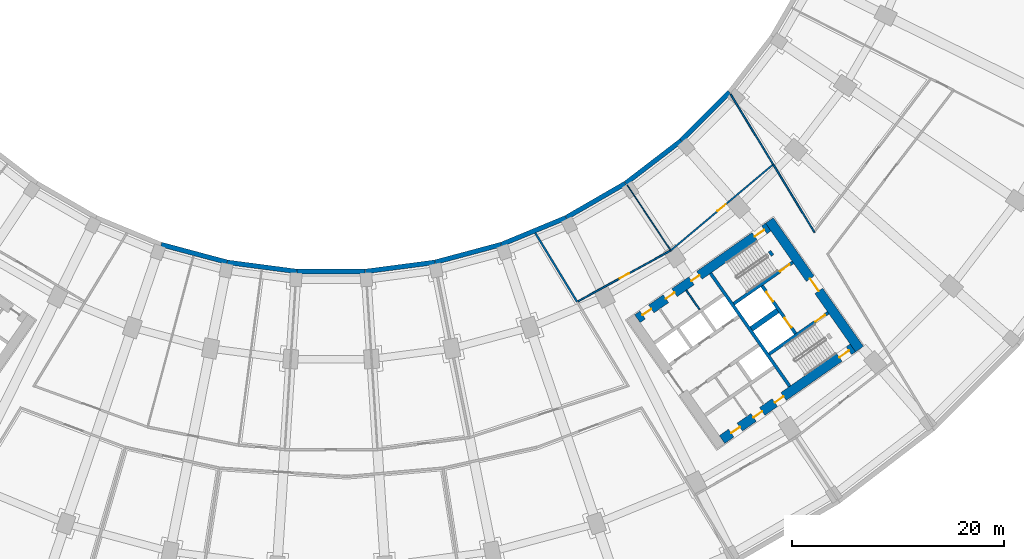
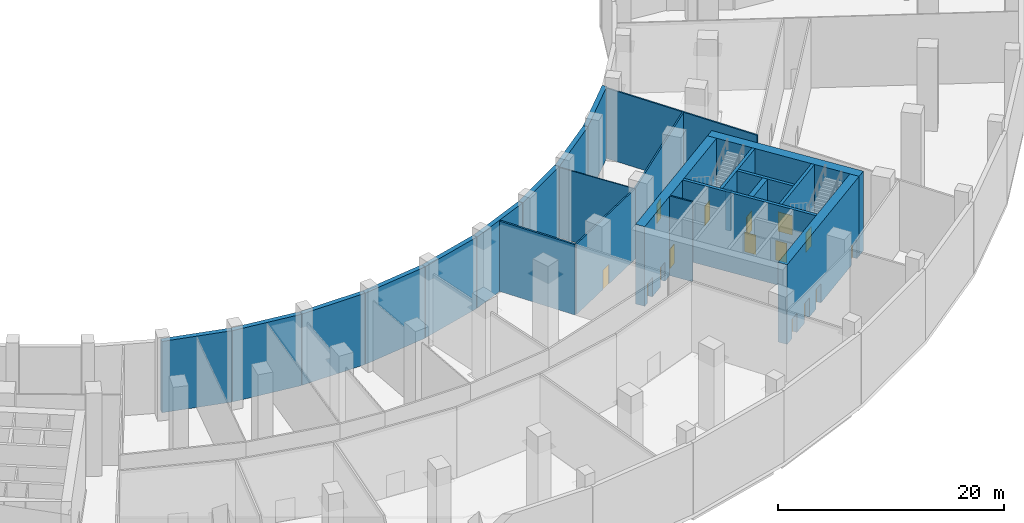
# One storey, part 9 of 17: 25 walls, 15 doors, 15 openings.
"""IFC4 building model written with IfcOpenShell, lengths in metres."""

from ifc_helpers import new_model, si_unit, direction, frame, frame_2d, origin, place, context, subcontext, project, spatial, rectangle, extrude, material, layer, layer_set, type_object, element, fill, save


model = new_model("IFC4")

# Units and contexts
model_context = context("Model", 3, precision=1e-05, world=origin(), true_north=direction((0.0, 1.0)))
body_context = subcontext(model_context, "Body", "Model", "MODEL_VIEW")
ifc_project = project(units=[si_unit("LENGTHUNIT", "METRE"), si_unit("AREAUNIT", "SQUARE_METRE"), si_unit("VOLUMEUNIT", "CUBIC_METRE"), si_unit("PLANEANGLEUNIT", "RADIAN"), si_unit("MASSUNIT", "GRAM", prefix="KILO")], contexts=[model_context])

# Site, building, storey
site_placement = place(None, origin())
site = spatial("IfcSite", under=ifc_project, at=site_placement, CompositionType="ELEMENT")
building_placement = place(site_placement, origin())
building = spatial("IfcBuilding", under=site, at=building_placement, Name="Qamariyya Broadcast Tower", CompositionType="ELEMENT")
storey_placement = place(building_placement, frame((0.0, 0.0, 18.0)))
storey = spatial("IfcBuildingStorey", under=building, at=storey_placement, Name="L02", CompositionType="ELEMENT", Elevation=18.0)

# Wall, opening, door
ifc_material_1 = material(Name="Concrete C70/85", Category="concrete")
ifc_layer_1 = layer(ifc_material_1, 0.89990234375)
ifc_layer_set_1 = layer_set([ifc_layer_1], Name="Core wall 900 mm Concrete C70/85")
wall_type_1 = type_object("IfcWallType", Name="Core wall 900 mm Concrete C70/85", PredefinedType="SHEAR", material=ifc_layer_set_1)
wall_1_placement = place(storey_placement, frame((49.778564453125, -57.191162109375, 0.0), z_axis=(0.0, 0.0, 1.0), x_axis=(-0.573577477574, 0.819151315216, 0.0)))
wall_1 = element("IfcWall", 1, at=wall_1_placement, inside=storey, type_object=wall_type_1, Name="k-E-L02-WH", PredefinedType="SHEAR", context=body_context, shape_type="SweptSolid", body=[
    extrude(rectangle(XDim=14.800048828125, YDim=0.89990234375, at=frame_2d((7.39990234375, 0.0))), origin(), (0.0, 0.0, 1.0), 8.60009765625),
])
opening_1_placement = place(wall_1_placement, frame((6.699951171875, 0.0, 0.0)))
opening_1 = element("IfcOpeningElement", 2, at=opening_1_placement, cuts=wall_1, Name="Opening KD2-E1", PredefinedType="OPENING", context=body_context, shape_type="SweptSolid", body=[
    extrude(rectangle(XDim=1.39990234375, YDim=2.10009765625, at=frame_2d((0.699951171875, 1.050048828125))), frame((0.0, 0.4599609375, 0.0), z_axis=(0.0, -1.0, 0.0), x_axis=(1.0, 0.0, 0.0)), (0.0, 0.0, 1.0), 0.919921875),
])
ifc_material_2 = material(Name="Steel fire-resisting door leaf", Category="steel")
door_type_1 = type_object("IfcDoorType", Name="Fire-fighting lobby door KD2", OperationType="DOUBLE_DOOR_SINGLE_SWING", PredefinedType="DOOR", material=ifc_material_2)
door_1_placement = place(opening_1_placement, origin())
door_1 = element("IfcDoor", 3, at=door_1_placement, inside=storey, type_object=door_type_1, Name="k-E-L02-WH-D15", OperationType="DOUBLE_DOOR_SINGLE_SWING", OverallHeight=2.10009765625, OverallWidth=1.39990234375, PredefinedType="DOOR", context=body_context, shape_type="SweptSolid", body=[
    extrude(rectangle(XDim=1.39990234375, YDim=2.10009765625, at=frame_2d((0.699951171875, 1.050048828125))), frame((0.0, 0.02490234375, 0.0), z_axis=(0.0, -1.0, 0.0), x_axis=(1.0, 0.0, 0.0)), (0.0, 0.0, 1.0), 0.050048828125),
])
fill(opening_1, door_1)

# Wall, openings, doors
wall_2_placement = place(storey_placement, frame((28.8544921875, -54.32421875, 0.0), z_axis=(0.0, 0.0, 1.0), x_axis=(0.819145767589, 0.573585400304, 0.0)))
wall_2 = element("IfcWall", 4, at=wall_2_placement, inside=storey, type_object=wall_type_1, Name="k-E-L02-WI", PredefinedType="SHEAR", context=body_context, shape_type="SweptSolid", body=[
    extrude(rectangle(XDim=15.04541015625, YDim=0.89990234375, at=frame_2d((7.522705078125, 0.0))), origin(), (0.0, 0.0, 1.0), 8.60009765625),
])
opening_2_placement = place(wall_2_placement, frame((0.60009765625, 0.0, 0.0)))
opening_2 = element("IfcOpeningElement", 5, at=opening_2_placement, cuts=wall_2, Name="Opening KD7-E1", PredefinedType="OPENING", context=body_context, shape_type="SweptSolid", body=[
    extrude(rectangle(XDim=1.0, YDim=2.10009765625, at=frame_2d((0.5, 1.050048828125))), frame((0.0, 0.4599609375, 0.0), z_axis=(0.0, -1.0, 0.0), x_axis=(1.0, 0.0, 0.0)), (0.0, 0.0, 1.0), 0.919921875),
])
opening_3_placement = place(wall_2_placement, frame((3.27490234375, 0.0, 0.0)))
opening_3 = element("IfcOpeningElement", 6, at=opening_3_placement, cuts=wall_2, Name="Opening KD6-E2", PredefinedType="OPENING", context=body_context, shape_type="SweptSolid", body=[
    extrude(rectangle(XDim=1.0, YDim=2.10009765625, at=frame_2d((0.5, 1.050048828125))), frame((0.0, 0.4599609375, 0.0), z_axis=(0.0, -1.0, 0.0), x_axis=(1.0, 0.0, 0.0)), (0.0, 0.0, 1.0), 0.919921875),
])
opening_4_placement = place(wall_2_placement, frame((6.22509765625, 0.0, 0.0)))
opening_4 = element("IfcOpeningElement", 7, at=opening_4_placement, cuts=wall_2, Name="Opening KD5-E1", PredefinedType="OPENING", context=body_context, shape_type="SweptSolid", body=[
    extrude(rectangle(XDim=0.89990234375, YDim=2.10009765625, at=frame_2d((0.449951171875, 1.050048828125))), frame((0.0, 0.4599609375, 0.0), z_axis=(0.0, -1.0, 0.0), x_axis=(1.0, 0.0, 0.0)), (0.0, 0.0, 1.0), 0.919921875),
])
opening_5_placement = place(wall_2_placement, frame((13.495361328125, 0.0, 0.0)))
opening_5 = element("IfcOpeningElement", 8, at=opening_5_placement, cuts=wall_2, Name="Opening KD1-E1", PredefinedType="OPENING", context=body_context, shape_type="SweptSolid", body=[
    extrude(rectangle(XDim=1.10009765625, YDim=2.10009765625, at=frame_2d((0.550048828125, 1.050048828125))), frame((0.0, 0.4599609375, 0.0), z_axis=(0.0, -1.0, 0.0), x_axis=(1.0, 0.0, 0.0)), (0.0, 0.0, 1.0), 0.919921875),
])
door_type_2 = type_object("IfcDoorType", Name="Accessible toilet door KD7", OperationType="SINGLE_SWING_LEFT", PredefinedType="DOOR", material=ifc_material_2)
door_2_placement = place(opening_2_placement, origin())
door_2 = element("IfcDoor", 9, at=door_2_placement, inside=storey, type_object=door_type_2, Name="k-E-L02-WI-D7", OperationType="SINGLE_SWING_LEFT", OverallHeight=2.10009765625, OverallWidth=1.0, PredefinedType="DOOR", context=body_context, shape_type="SweptSolid", body=[
    extrude(rectangle(XDim=1.0, YDim=2.10009765625, at=frame_2d((0.5, 1.050048828125))), frame((0.0, 0.02490234375, 0.0), z_axis=(0.0, -1.0, 0.0), x_axis=(1.0, 0.0, 0.0)), (0.0, 0.0, 1.0), 0.050048828125),
])
fill(opening_2, door_2)
door_type_3 = type_object("IfcDoorType", Name="Core room door KD6", OperationType="SINGLE_SWING_LEFT", PredefinedType="DOOR", material=ifc_material_2)
door_3_placement = place(opening_3_placement, origin())
door_3 = element("IfcDoor", 10, at=door_3_placement, inside=storey, type_object=door_type_3, Name="k-E-L02-WI-D8", OperationType="SINGLE_SWING_RIGHT", OverallHeight=2.10009765625, OverallWidth=1.0, PredefinedType="DOOR", context=body_context, shape_type="SweptSolid", body=[
    extrude(rectangle(XDim=1.0, YDim=2.10009765625, at=frame_2d((0.5, 1.050048828125))), frame((0.0, 0.02490234375, 0.0), z_axis=(0.0, -1.0, 0.0), x_axis=(1.0, 0.0, 0.0)), (0.0, 0.0, 1.0), 0.050048828125),
])
fill(opening_3, door_3)
door_type_4 = type_object("IfcDoorType", Name="Stair door KD1", OperationType="SINGLE_SWING_LEFT", PredefinedType="DOOR", material=ifc_material_2)
door_4_placement = place(opening_5_placement, origin())
door_4 = element("IfcDoor", 11, at=door_4_placement, inside=storey, type_object=door_type_4, Name="k-E-L02-WI-D16", OperationType="SINGLE_SWING_RIGHT", OverallHeight=2.10009765625, OverallWidth=1.10009765625, PredefinedType="DOOR", context=body_context, shape_type="SweptSolid", body=[
    extrude(rectangle(XDim=1.10009765625, YDim=2.10009765625, at=frame_2d((0.550048828125, 1.050048828125))), frame((0.0, 0.02490234375, 0.0), z_axis=(0.0, -1.0, 0.0), x_axis=(1.0, 0.0, 0.0)), (0.0, 0.0, 1.0), 0.050048828125),
])
fill(opening_5, door_4)
door_type_5 = type_object("IfcDoorType", Name="Toilet door KD5", OperationType="SINGLE_SWING_LEFT", PredefinedType="DOOR", material=ifc_material_2)
door_5_placement = place(opening_4_placement, origin())
door_5 = element("IfcDoor", 12, at=door_5_placement, inside=storey, type_object=door_type_5, Name="k-E-L02-WI-D9", OperationType="SINGLE_SWING_LEFT", OverallHeight=2.10009765625, OverallWidth=0.89990234375, PredefinedType="DOOR", context=body_context, shape_type="SweptSolid", body=[
    extrude(rectangle(XDim=0.89990234375, YDim=2.10009765625, at=frame_2d((0.449951171875, 1.050048828125))), frame((0.0, 0.02490234375, 0.0), z_axis=(0.0, -1.0, 0.0), x_axis=(1.0, 0.0, 0.0)), (0.0, 0.0, 1.0), 0.050048828125),
])
fill(opening_4, door_5)

wall_3_placement = place(storey_placement, frame((36.827392578125, -65.710205078125, 0.0), z_axis=(0.0, 0.0, 1.0), x_axis=(0.819153391756, 0.573574511963, 0.0)))
wall_3 = element("IfcWall", 13, at=wall_3_placement, inside=storey, type_object=wall_type_1, Name="k-E-L02-WO", PredefinedType="SHEAR", context=body_context, shape_type="SweptSolid", body=[
    extrude(rectangle(XDim=15.04541015625, YDim=0.89990234375, at=frame_2d((7.522705078125, 0.0))), origin(), (0.0, 0.0, 1.0), 8.60009765625),
])
opening_6_placement = place(wall_3_placement, frame((1.050048828125, 0.0, 0.0)))
opening_6 = element("IfcOpeningElement", 14, at=opening_6_placement, cuts=wall_3, Name="Opening KD4-E2", PredefinedType="OPENING", context=body_context, shape_type="SweptSolid", body=[
    extrude(rectangle(XDim=1.0, YDim=2.10009765625, at=frame_2d((0.5, 1.050048828125))), frame((0.0, 0.4599609375, 0.0), z_axis=(0.0, -1.0, 0.0), x_axis=(1.0, 0.0, 0.0)), (0.0, 0.0, 1.0), 0.919921875),
])
opening_7_placement = place(wall_3_placement, frame((3.625, 0.0, 0.0)))
opening_7 = element("IfcOpeningElement", 15, at=opening_7_placement, cuts=wall_3, Name="Opening KD4-E3", PredefinedType="OPENING", context=body_context, shape_type="SweptSolid", body=[
    extrude(rectangle(XDim=1.0, YDim=2.10009765625, at=frame_2d((0.5, 1.050048828125))), frame((0.0, 0.4599609375, 0.0), z_axis=(0.0, -1.0, 0.0), x_axis=(1.0, 0.0, 0.0)), (0.0, 0.0, 1.0), 0.919921875),
])
opening_8_placement = place(wall_3_placement, frame((6.074951171875, 0.0, 0.0)))
opening_8 = element("IfcOpeningElement", 16, at=opening_8_placement, cuts=wall_3, Name="Opening KD6-E3", PredefinedType="OPENING", context=body_context, shape_type="SweptSolid", body=[
    extrude(rectangle(XDim=1.0, YDim=2.10009765625, at=frame_2d((0.5, 1.050048828125))), frame((0.0, 0.4599609375, 0.0), z_axis=(0.0, -1.0, 0.0), x_axis=(1.0, 0.0, 0.0)), (0.0, 0.0, 1.0), 0.919921875),
])
opening_9_placement = place(wall_3_placement, frame((13.495361328125, 0.0, 0.0)))
opening_9 = element("IfcOpeningElement", 17, at=opening_9_placement, cuts=wall_3, Name="Opening KD1-E3", PredefinedType="OPENING", context=body_context, shape_type="SweptSolid", body=[
    extrude(rectangle(XDim=1.10009765625, YDim=2.10009765625, at=frame_2d((0.550048828125, 1.050048828125))), frame((0.0, 0.4599609375, 0.0), z_axis=(0.0, -1.0, 0.0), x_axis=(1.0, 0.0, 0.0)), (0.0, 0.0, 1.0), 0.919921875),
])
door_6_placement = place(opening_8_placement, origin())
door_6 = element("IfcDoor", 18, at=door_6_placement, inside=storey, type_object=door_type_3, Name="k-E-L02-WO-D12", OperationType="SINGLE_SWING_RIGHT", OverallHeight=2.10009765625, OverallWidth=1.0, PredefinedType="DOOR", context=body_context, shape_type="SweptSolid", body=[
    extrude(rectangle(XDim=1.0, YDim=2.10009765625, at=frame_2d((0.5, 1.050048828125))), frame((0.0, 0.02490234375, 0.0), z_axis=(0.0, -1.0, 0.0), x_axis=(1.0, 0.0, 0.0)), (0.0, 0.0, 1.0), 0.050048828125),
])
fill(opening_8, door_6)
door_type_6 = type_object("IfcDoorType", Name="Riser and plant door KD4", OperationType="SINGLE_SWING_LEFT", PredefinedType="DOOR", material=ifc_material_2)
door_7_placement = place(opening_6_placement, origin())
door_7 = element("IfcDoor", 19, at=door_7_placement, inside=storey, type_object=door_type_6, Name="k-E-L02-WO-D10", OperationType="SINGLE_SWING_RIGHT", OverallHeight=2.10009765625, OverallWidth=1.0, PredefinedType="DOOR", context=body_context, shape_type="SweptSolid", body=[
    extrude(rectangle(XDim=1.0, YDim=2.10009765625, at=frame_2d((0.5, 1.050048828125))), frame((0.0, 0.02490234375, 0.0), z_axis=(0.0, -1.0, 0.0), x_axis=(1.0, 0.0, 0.0)), (0.0, 0.0, 1.0), 0.050048828125),
])
fill(opening_6, door_7)
door_8_placement = place(opening_7_placement, origin())
door_8 = element("IfcDoor", 20, at=door_8_placement, inside=storey, type_object=door_type_6, Name="k-E-L02-WO-D11", OperationType="SINGLE_SWING_LEFT", OverallHeight=2.10009765625, OverallWidth=1.0, PredefinedType="DOOR", context=body_context, shape_type="SweptSolid", body=[
    extrude(rectangle(XDim=1.0, YDim=2.10009765625, at=frame_2d((0.5, 1.050048828125))), frame((0.0, 0.02490234375, 0.0), z_axis=(0.0, -1.0, 0.0), x_axis=(1.0, 0.0, 0.0)), (0.0, 0.0, 1.0), 0.050048828125),
])
fill(opening_7, door_8)
door_9_placement = place(opening_9_placement, origin())
door_9 = element("IfcDoor", 21, at=door_9_placement, inside=storey, type_object=door_type_4, Name="k-E-L02-WO-D18", OperationType="SINGLE_SWING_LEFT", OverallHeight=2.10009765625, OverallWidth=1.10009765625, PredefinedType="DOOR", context=body_context, shape_type="SweptSolid", body=[
    extrude(rectangle(XDim=1.10009765625, YDim=2.10009765625, at=frame_2d((0.550048828125, 1.050048828125))), frame((0.0, 0.02490234375, 0.0), z_axis=(0.0, -1.0, 0.0), x_axis=(1.0, 0.0, 0.0)), (0.0, 0.0, 1.0), 0.050048828125),
])
fill(opening_9, door_9)

# Wall, opening, door
ifc_material_3 = material(Name="Gypsum board partition")
ifc_layer_2 = layer(ifc_material_3, 0.14990234375)
ifc_layer_set_2 = layer_set([ifc_layer_2], Name="Corridor partition 150 EI 60")
wall_type_2 = type_object("IfcWallType", Name="Corridor partition 150 EI 60", PredefinedType="PARTITIONING", material=ifc_layer_set_2)
wall_4_placement = place(storey_placement, frame((23.253173828125, -52.689208984375, 0.0), z_axis=(0.0, 0.0, 1.0), x_axis=(0.876830047464, 0.480800444949, 0.0)))
wall_4 = element("IfcWall", 22, at=wall_4_placement, inside=storey, type_object=wall_type_2, Name="Partition L02-042", PredefinedType="PARTITIONING", context=body_context, shape_type="SweptSolid", body=[
    extrude(rectangle(XDim=9.976318359375, YDim=0.14990234375, at=frame_2d((4.98828125, 0.0))), origin(), (0.0, 0.0, 1.0), 7.60009765625),
])
opening_10_placement = place(wall_4_placement, frame((4.48828125, 0.0, 0.0)))
opening_10 = element("IfcOpeningElement", 23, at=opening_10_placement, cuts=wall_4, Name="Opening L02-D18", PredefinedType="OPENING", context=body_context, shape_type="SweptSolid", body=[
    extrude(rectangle(XDim=1.0, YDim=2.10009765625, at=frame_2d((0.5, 1.050048828125))), frame((0.0, 0.0849609375, 0.0), z_axis=(0.0, -1.0, 0.0), x_axis=(1.0, 0.0, 0.0)), (0.0, 0.0, 1.0), 0.169921875),
])
ifc_material_4 = material(Name="Timber fire door leaf", Category="wood")
door_type_7 = type_object("IfcDoorType", Name="Fire door 1000 x 2100 FD60", OperationType="NOTDEFINED", PredefinedType="DOOR", material=ifc_material_4)
door_10_placement = place(opening_10_placement, origin())
door_10 = element("IfcDoor", 24, at=door_10_placement, inside=storey, type_object=door_type_7, Name="Door L02-D18", OperationType="SINGLE_SWING_RIGHT", OverallHeight=2.10009765625, OverallWidth=1.0, PredefinedType="DOOR", context=body_context, shape_type="SweptSolid", body=[
    extrude(rectangle(XDim=1.0, YDim=2.10009765625, at=frame_2d((0.5, 1.050048828125))), frame((0.0, 0.02490234375, 0.0), z_axis=(0.0, -1.0, 0.0), x_axis=(1.0, 0.0, 0.0)), (0.0, 0.0, 1.0), 0.050048828125),
])
fill(opening_10, door_10)

wall_5_placement = place(storey_placement, frame((32.000732421875, -47.892578125, 0.0), z_axis=(0.0, 0.0, 1.0), x_axis=(0.765734049768, 0.643157340801, 0.0)))
wall_5 = element("IfcWall", 25, at=wall_5_placement, inside=storey, type_object=wall_type_2, Name="Partition L02-045", PredefinedType="PARTITIONING", context=body_context, shape_type="SweptSolid", body=[
    extrude(rectangle(XDim=12.52392578125, YDim=0.14990234375, at=frame_2d((6.261962890625, 0.0))), origin(), (0.0, 0.0, 1.0), 7.60009765625),
])
opening_11_placement = place(wall_5_placement, frame((5.761962890625, 0.0, 0.0)))
opening_11 = element("IfcOpeningElement", 26, at=opening_11_placement, cuts=wall_5, Name="Opening L02-D19", PredefinedType="OPENING", context=body_context, shape_type="SweptSolid", body=[
    extrude(rectangle(XDim=1.0, YDim=2.10009765625, at=frame_2d((0.5, 1.050048828125))), frame((0.0, 0.0849609375, 0.0), z_axis=(0.0, -1.0, 0.0), x_axis=(1.0, 0.0, 0.0)), (0.0, 0.0, 1.0), 0.169921875),
])
door_11_placement = place(opening_11_placement, origin())
door_11 = element("IfcDoor", 27, at=door_11_placement, inside=storey, type_object=door_type_7, Name="Door L02-D19", OperationType="SINGLE_SWING_RIGHT", OverallHeight=2.10009765625, OverallWidth=1.0, PredefinedType="DOOR", context=body_context, shape_type="SweptSolid", body=[
    extrude(rectangle(XDim=1.0, YDim=2.10009765625, at=frame_2d((0.5, 1.050048828125))), frame((0.0, 0.02490234375, 0.0), z_axis=(0.0, -1.0, 0.0), x_axis=(1.0, 0.0, 0.0)), (0.0, 0.0, 1.0), 0.050048828125),
])
fill(opening_11, door_11)

# Walls
wall_6_placement = place(storey_placement, frame((37.6376953125, -33.18701171875, 0.0), z_axis=(0.0, 0.0, 1.0), x_axis=(0.519163683086, -0.854674833, 0.0)))
element("IfcWall", 28, at=wall_6_placement, inside=storey, type_object=wall_type_2, Name="Partition L02-048", PredefinedType="PARTITIONING", context=body_context, shape_type="SweptSolid", body=[
    extrude(rectangle(XDim=7.724853515625, YDim=0.14990234375, at=frame_2d((3.8623046875, 0.0))), origin(), (0.0, 0.0, 1.0), 7.60009765625),
])
wall_7_placement = place(storey_placement, frame((41.648193359375, -39.789306640625, 0.0), z_axis=(0.0, 0.0, 1.0), x_axis=(0.519150554232, -0.854682807854, 0.0)))
element("IfcWall", 29, at=wall_7_placement, inside=storey, type_object=wall_type_2, Name="Partition L02-049", PredefinedType="PARTITIONING", context=body_context, shape_type="SweptSolid", body=[
    extrude(rectangle(XDim=7.500244140625, YDim=0.14990234375, at=frame_2d((3.75, 0.0))), origin(), (0.0, 0.0, 1.0), 7.60009765625),
])
ifc_material_5 = material(Name="Concrete C60/75", Category="concrete")
ifc_layer_3 = layer(ifc_material_5, 0.5)
ifc_layer_set_3 = layer_set([ifc_layer_3], Name="Fire-fighting lobby divider wall 500 mm Concrete C60/75")
wall_type_3 = type_object("IfcWallType", Name="Fire-fighting lobby divider wall 500 mm Concrete C60/75", PredefinedType="SOLIDWALL", material=ifc_layer_set_3)
wall_8_placement = place(storey_placement, frame((39.59912109375, -55.28515625, 0.0), z_axis=(0.0, 0.0, 1.0), x_axis=(0.819136323161, 0.573598887793, 0.0)))
element("IfcWall", 30, at=wall_8_placement, inside=storey, type_object=wall_type_3, Name="k-E-L02-FD", PredefinedType="SOLIDWALL", context=body_context, shape_type="SweptSolid", body=[
    extrude(rectangle(XDim=2.999755859375, YDim=0.5, at=frame_2d((1.5, 0.0))), origin(), (0.0, 0.0, 1.0), 8.60009765625),
])
ifc_material_6 = material(Name="Gypsum board partition on steel studs", Category="steel")
ifc_layer_4 = layer(ifc_material_6, 0.14990234375)
ifc_layer_set_4 = layer_set([ifc_layer_4], Name="Gypsum board partition 150 mm")
wall_type_4 = type_object("IfcWallType", Name="Gypsum board partition 150 mm", PredefinedType="PARTITIONING", material=ifc_layer_set_4)
wall_9_placement = place(storey_placement, frame((34.716064453125, -53.454833984375, 0.0), z_axis=(0.0, 0.0, 1.0), x_axis=(-0.573507030513, 0.819200638399, 0.0)))
element("IfcWall", 31, at=wall_9_placement, inside=storey, type_object=wall_type_4, Name="k-E-L02-NP530", PredefinedType="PARTITIONING", context=body_context, shape_type="SweptSolid", body=[
    extrude(rectangle(XDim=2.199951171875, YDim=0.14990234375, at=frame_2d((1.10009765625, 0.0))), origin(), (0.0, 0.0, 1.0), 8.60009765625),
])
ifc_layer_5 = layer(ifc_material_5, 0.300048828125)
ifc_layer_set_5 = layer_set([ifc_layer_5], Name="Lift shaft wall 300 mm Concrete C60/75")
wall_type_5 = type_object("IfcWallType", Name="Lift shaft wall 300 mm Concrete C60/75", PredefinedType="SOLIDWALL", material=ifc_layer_set_5)
wall_10_placement = place(storey_placement, frame((43.204345703125, -60.69580078125, 0.0), z_axis=(0.0, 0.0, 1.0), x_axis=(-0.573571992966, 0.819155155563, 0.0)))
element("IfcWall", 32, at=wall_10_placement, inside=storey, type_object=wall_type_5, Name="k-E-L02-WL", PredefinedType="SOLIDWALL", context=body_context, shape_type="SweptSolid", body=[
    extrude(rectangle(XDim=13.000244140625, YDim=0.300048828125, at=frame_2d((6.5, 0.0))), origin(), (0.0, 0.0, 1.0), 8.60009765625),
])

# Wall, opening, door
wall_11_placement = place(storey_placement, frame((37.935546875, -52.90966796875, 0.0), z_axis=(0.0, 0.0, 1.0), x_axis=(0.819147518138, 0.57358290031, 0.0)))
wall_11 = element("IfcWall", 33, at=wall_11_placement, inside=storey, type_object=wall_type_5, Name="k-E-L02-NW", PredefinedType="SOLIDWALL", context=body_context, shape_type="SweptSolid", body=[
    extrude(rectangle(XDim=6.79541015625, YDim=0.300048828125, at=frame_2d((3.397705078125, 0.0))), origin(), (0.0, 0.0, 1.0), 8.60009765625),
])
opening_12_placement = place(wall_11_placement, frame((5.3203125, 0.0, 0.0)))
opening_12 = element("IfcOpeningElement", 34, at=opening_12_placement, cuts=wall_11, Name="Opening KD1-E2", PredefinedType="OPENING", context=body_context, shape_type="SweptSolid", body=[
    extrude(rectangle(XDim=1.10009765625, YDim=2.10009765625, at=frame_2d((0.550048828125, 1.050048828125))), frame((0.0, 0.159912109375, 0.0), z_axis=(0.0, -1.0, 0.0), x_axis=(1.0, 0.0, 0.0)), (0.0, 0.0, 1.0), 0.320068359375),
])
door_12_placement = place(opening_12_placement, origin())
door_12 = element("IfcDoor", 35, at=door_12_placement, inside=storey, type_object=door_type_4, Name="k-E-L02-NW-D17", OperationType="SINGLE_SWING_LEFT", OverallHeight=2.10009765625, OverallWidth=1.10009765625, PredefinedType="DOOR", context=body_context, shape_type="SweptSolid", body=[
    extrude(rectangle(XDim=1.10009765625, YDim=2.10009765625, at=frame_2d((0.550048828125, 1.050048828125))), frame((0.0, 0.02490234375, 0.0), z_axis=(0.0, -1.0, 0.0), x_axis=(1.0, 0.0, 0.0)), (0.0, 0.0, 1.0), 0.050048828125),
])
fill(opening_12, door_12)

wall_12_placement = place(storey_placement, frame((41.262451171875, -57.66064453125, 0.0), z_axis=(0.0, 0.0, 1.0), x_axis=(0.819164398642, 0.573558792102, 0.0)))
wall_12 = element("IfcWall", 36, at=wall_12_placement, inside=storey, type_object=wall_type_5, Name="k-E-L02-SW", PredefinedType="SOLIDWALL", context=body_context, shape_type="SweptSolid", body=[
    extrude(rectangle(XDim=6.795166015625, YDim=0.300048828125, at=frame_2d((3.3974609375, 0.0))), origin(), (0.0, 0.0, 1.0), 8.60009765625),
])
opening_13_placement = place(wall_12_placement, frame((5.3203125, 0.0, 0.0)))
opening_13 = element("IfcOpeningElement", 37, at=opening_13_placement, cuts=wall_12, Name="Opening KD1-E4", PredefinedType="OPENING", context=body_context, shape_type="SweptSolid", body=[
    extrude(rectangle(XDim=1.10009765625, YDim=2.10009765625, at=frame_2d((0.550048828125, 1.050048828125))), frame((0.0, 0.159912109375, 0.0), z_axis=(0.0, -1.0, 0.0), x_axis=(1.0, 0.0, 0.0)), (0.0, 0.0, 1.0), 0.320068359375),
])
door_13_placement = place(opening_13_placement, origin())
door_13 = element("IfcDoor", 38, at=door_13_placement, inside=storey, type_object=door_type_4, Name="k-E-L02-SW-D19", OperationType="SINGLE_SWING_LEFT", OverallHeight=2.10009765625, OverallWidth=1.10009765625, PredefinedType="DOOR", context=body_context, shape_type="SweptSolid", body=[
    extrude(rectangle(XDim=1.10009765625, YDim=2.10009765625, at=frame_2d((0.550048828125, 1.050048828125))), frame((0.0, 0.02490234375, 0.0), z_axis=(0.0, -1.0, 0.0), x_axis=(1.0, 0.0, 0.0)), (0.0, 0.0, 1.0), 0.050048828125),
])
fill(opening_13, door_13)

# Wall, openings, doors
wall_13_placement = place(storey_placement, frame((43.756591796875, -55.731201171875, 0.0), z_axis=(0.0, 0.0, 1.0), x_axis=(-0.573536818435, 0.819179783625, 0.0)))
wall_13 = element("IfcWall", 39, at=wall_13_placement, inside=storey, type_object=wall_type_5, Name="k-E-L02-FF", PredefinedType="SOLIDWALL", context=body_context, shape_type="SweptSolid", body=[
    extrude(rectangle(XDim=5.500244140625, YDim=0.300048828125, at=frame_2d((2.75, 0.0))), origin(), (0.0, 0.0, 1.0), 8.60009765625),
])
opening_14_placement = place(wall_13_placement, frame((0.699951171875, 0.0, 0.0)))
opening_14 = element("IfcOpeningElement", 40, at=opening_14_placement, cuts=wall_13, Name="Opening LD", PredefinedType="OPENING", context=body_context, shape_type="SweptSolid", body=[
    extrude(rectangle(XDim=1.10009765625, YDim=2.10009765625, at=frame_2d((0.550048828125, 1.050048828125))), frame((0.0, 0.159912109375, 0.0), z_axis=(0.0, -1.0, 0.0), x_axis=(1.0, 0.0, 0.0)), (0.0, 0.0, 1.0), 0.320068359375),
])
opening_15_placement = place(wall_13_placement, frame((3.699951171875, 0.0, 0.0)))
opening_15 = element("IfcOpeningElement", 41, at=opening_15_placement, cuts=wall_13, Name="Opening LD", PredefinedType="OPENING", context=body_context, shape_type="SweptSolid", body=[
    extrude(rectangle(XDim=1.10009765625, YDim=2.10009765625, at=frame_2d((0.550048828125, 1.050048828125))), frame((0.0, 0.159912109375, 0.0), z_axis=(0.0, -1.0, 0.0), x_axis=(1.0, 0.0, 0.0)), (0.0, 0.0, 1.0), 0.320068359375),
])
door_type_8 = type_object("IfcDoorType", Name="Lift landing door LD", OperationType="DOUBLE_DOOR_SLIDING", PredefinedType="DOOR", material=ifc_material_2)
door_14_placement = place(opening_14_placement, origin())
door_14 = element("IfcDoor", 42, at=door_14_placement, inside=storey, type_object=door_type_8, Name="k-E-L02-FF-D13", OperationType="DOUBLE_DOOR_SLIDING", OverallHeight=2.10009765625, OverallWidth=1.10009765625, PredefinedType="DOOR", context=body_context, shape_type="SweptSolid", body=[
    extrude(rectangle(XDim=1.10009765625, YDim=2.10009765625, at=frame_2d((0.550048828125, 1.050048828125))), frame((0.0, 0.02490234375, 0.0), z_axis=(0.0, -1.0, 0.0), x_axis=(1.0, 0.0, 0.0)), (0.0, 0.0, 1.0), 0.050048828125),
])
fill(opening_14, door_14)
door_15_placement = place(opening_15_placement, origin())
door_15 = element("IfcDoor", 43, at=door_15_placement, inside=storey, type_object=door_type_8, Name="k-E-L02-FF-D14", OperationType="DOUBLE_DOOR_SLIDING", OverallHeight=2.10009765625, OverallWidth=1.10009765625, PredefinedType="DOOR", context=body_context, shape_type="SweptSolid", body=[
    extrude(rectangle(XDim=1.10009765625, YDim=2.10009765625, at=frame_2d((0.550048828125, 1.050048828125))), frame((0.0, 0.02490234375, 0.0), z_axis=(0.0, -1.0, 0.0), x_axis=(1.0, 0.0, 0.0)), (0.0, 0.0, 1.0), 0.050048828125),
])
fill(opening_15, door_15)

# Walls
wall_14_placement = place(storey_placement, frame((41.30029296875, -47.959716796875, 0.0), z_axis=(0.0, 0.0, 1.0), x_axis=(0.573495128918, -0.819208970354, 0.0)))
element("IfcWall", 44, at=wall_14_placement, inside=storey, type_object=wall_type_5, Name="k-E-L02-E2PR", PredefinedType="SOLIDWALL", context=body_context, shape_type="SweptSolid", body=[
    extrude(rectangle(XDim=0.499755859375, YDim=0.300048828125, at=frame_2d((0.25, 0.0))), origin(), (0.0, 0.0, 1.0), 4.300048828125),
])
ifc_layer_6 = layer(ifc_material_3, 0.10009765625)
ifc_layer_set_6 = layer_set([ifc_layer_6], Name="Partition 100")
wall_type_6 = type_object("IfcWallType", Name="Partition 100", PredefinedType="PARTITIONING", material=ifc_layer_set_6)
wall_15_placement = place(storey_placement, frame((27.8896484375, -41.73974609375, 0.0), z_axis=(0.0, 0.0, 1.0), x_axis=(0.555569023768, -0.831470420297, 0.0)))
element("IfcWall", 45, at=wall_15_placement, inside=storey, type_object=wall_type_6, Name="Partition L02-043", PredefinedType="PARTITIONING", context=body_context, shape_type="SweptSolid", body=[
    extrude(rectangle(XDim=7.324951171875, YDim=0.10009765625, at=frame_2d((3.66259765625, 0.0))), origin(), (0.0, 0.0, 1.0), 7.60009765625),
])
ifc_material_7 = material(Name="Precast concrete C40/50 with terracotta facing", Category="masonry")
ifc_layer_7 = layer(ifc_material_7, 0.449951171875)
ifc_layer_set_7 = layer_set([ifc_layer_7], Name="Precast concrete C40/50 wall 450, terracotta faced")
wall_type_7 = type_object("IfcWallType", Name="Precast concrete C40/50 wall 450, terracotta faced", PredefinedType="SOLIDWALL", material=ifc_layer_set_7)
wall_16_placement = place(storey_placement, frame((3.209716796875, -49.868408203125, 0.0), z_axis=(0.0, 0.0, 1.0), x_axis=(-1.0, 0.0, 0.0)))
element("IfcWall", 46, at=wall_16_placement, inside=storey, type_object=wall_type_7, Name="e-wl-L02-in100", PredefinedType="SOLIDWALL", context=body_context, shape_type="SweptSolid", body=[
    extrude(rectangle(XDim=6.41943359375, YDim=0.449951171875, at=frame_2d((3.209716796875, 0.0))), origin(), (0.0, 0.0, 1.0), 7.699951171875),
])
wall_17_placement = place(storey_placement, frame((9.779541015625, -49.01123046875, 0.0), z_axis=(0.0, 0.0, 1.0), x_axis=(-0.991445350147, -0.130522479563, 0.0)))
element("IfcWall", 47, at=wall_17_placement, inside=storey, type_object=wall_type_7, Name="e-wl-L02-in110", PredefinedType="SOLIDWALL", context=body_context, shape_type="SweptSolid", body=[
    extrude(rectangle(XDim=6.59716796875, YDim=0.449951171875, at=frame_2d((3.298583984375, 0.0))), origin(), (0.0, 0.0, 1.0), 7.699951171875),
])
wall_18_placement = place(storey_placement, frame((16.007080078125, -47.338623046875, 0.0), z_axis=(0.0, 0.0, 1.0), x_axis=(-0.965926830738, -0.25881529642, 0.0)))
element("IfcWall", 48, at=wall_18_placement, inside=storey, type_object=wall_type_7, Name="e-wl-L02-in120", PredefinedType="SOLIDWALL", context=body_context, shape_type="SweptSolid", body=[
    extrude(rectangle(XDim=6.419189453125, YDim=0.449951171875, at=frame_2d((3.20947265625, 0.0))), origin(), (0.0, 0.0, 1.0), 7.699951171875),
])
wall_19_placement = place(storey_placement, frame((22.13134765625, -44.81005859375, 0.0), z_axis=(0.0, 0.0, 1.0), x_axis=(-0.923877459804, -0.382688436284, 0.0)))
element("IfcWall", 49, at=wall_19_placement, inside=storey, type_object=wall_type_7, Name="e-wl-L02-in130", PredefinedType="SOLIDWALL", context=body_context, shape_type="SweptSolid", body=[
    extrude(rectangle(XDim=6.59716796875, YDim=0.449951171875, at=frame_2d((3.298583984375, 0.0))), origin(), (0.0, 0.0, 1.0), 7.699951171875),
])
wall_20_placement = place(storey_placement, frame((27.7138671875, -41.58251953125, 0.0), z_axis=(0.0, 0.0, 1.0), x_axis=(-0.866022817921, -0.50000447882, 0.0)))
element("IfcWall", 50, at=wall_20_placement, inside=storey, type_object=wall_type_7, Name="e-wl-L02-in140", PredefinedType="SOLIDWALL", context=body_context, shape_type="SweptSolid", body=[
    extrude(rectangle(XDim=6.41943359375, YDim=0.449951171875, at=frame_2d((3.209716796875, 0.0))), origin(), (0.0, 0.0, 1.0), 7.699951171875),
])
wall_21_placement = place(storey_placement, frame((32.974853515625, -37.55517578125, 0.0), z_axis=(0.0, 0.0, 1.0), x_axis=(-0.793338838284, -0.608780327927, 0.0)))
element("IfcWall", 51, at=wall_21_placement, inside=storey, type_object=wall_type_7, Name="e-wl-L02-in150", PredefinedType="SOLIDWALL", context=body_context, shape_type="SweptSolid", body=[
    extrude(rectangle(XDim=6.596923828125, YDim=0.449951171875, at=frame_2d((3.29833984375, 0.0))), origin(), (0.0, 0.0, 1.0), 7.699951171875),
])
for number, where, z_axis, x_axis, name in (
    (52, (37.531982421875, -32.992919921875, 0.0), (0.0, 0.0, 1.0), (-0.707106781187, -0.707106781187, 0.0), "e-wl-L02-in160"),
    (53, (-9.806640625, -49.0, 0.0), (0.0, 0.0, 1.0), (-0.965926830738, 0.25881529642, 0.0), "e-wl-L02-in80"),
):
    element("IfcWall", number, at=place(storey_placement, frame(where, z_axis=z_axis, x_axis=x_axis)), inside=storey, type_object=wall_type_7, Name=name, PredefinedType="SOLIDWALL", context=body_context, shape_type="SweptSolid", body=[
        extrude(rectangle(XDim=6.419189453125, YDim=0.449951171875, at=frame_2d((3.20947265625, 0.0))), origin(), (0.0, 0.0, 1.0), 7.699951171875),
    ])
wall_22_placement = place(storey_placement, frame((-3.23876953125, -49.872314453125, 0.0), z_axis=(0.0, 0.0, 1.0), x_axis=(-0.991445350147, 0.130522479563, 0.0)))
element("IfcWall", 54, at=wall_22_placement, inside=storey, type_object=wall_type_7, Name="e-wl-L02-in90", PredefinedType="SOLIDWALL", context=body_context, shape_type="SweptSolid", body=[
    extrude(rectangle(XDim=6.59716796875, YDim=0.449951171875, at=frame_2d((3.298583984375, 0.0))), origin(), (0.0, 0.0, 1.0), 7.699951171875),
])
ifc_layer_8 = layer(ifc_material_3, 0.179931640625)
ifc_layer_set_8 = layer_set([ifc_layer_8], Name="Studio acoustic partition 180 EI 60")
wall_type_8 = type_object("IfcWallType", Name="Studio acoustic partition 180 EI 60", PredefinedType="PARTITIONING", material=ifc_layer_set_8)
wall_23_placement = place(storey_placement, frame((19.2314453125, -46.2490234375, 0.0), z_axis=(0.0, 0.0, 1.0), x_axis=(0.519582509181, -0.854420280748, 0.0)))
element("IfcWall", 55, at=wall_23_placement, inside=storey, type_object=wall_type_8, Name="Partition L02-039", PredefinedType="PARTITIONING", context=body_context, shape_type="SweptSolid", body=[
    extrude(rectangle(XDim=7.588134765625, YDim=0.179931640625, at=frame_2d((3.7939453125, 0.0))), origin(), (0.0, 0.0, 1.0), 7.60009765625),
])

save(model, "model.ifc")
